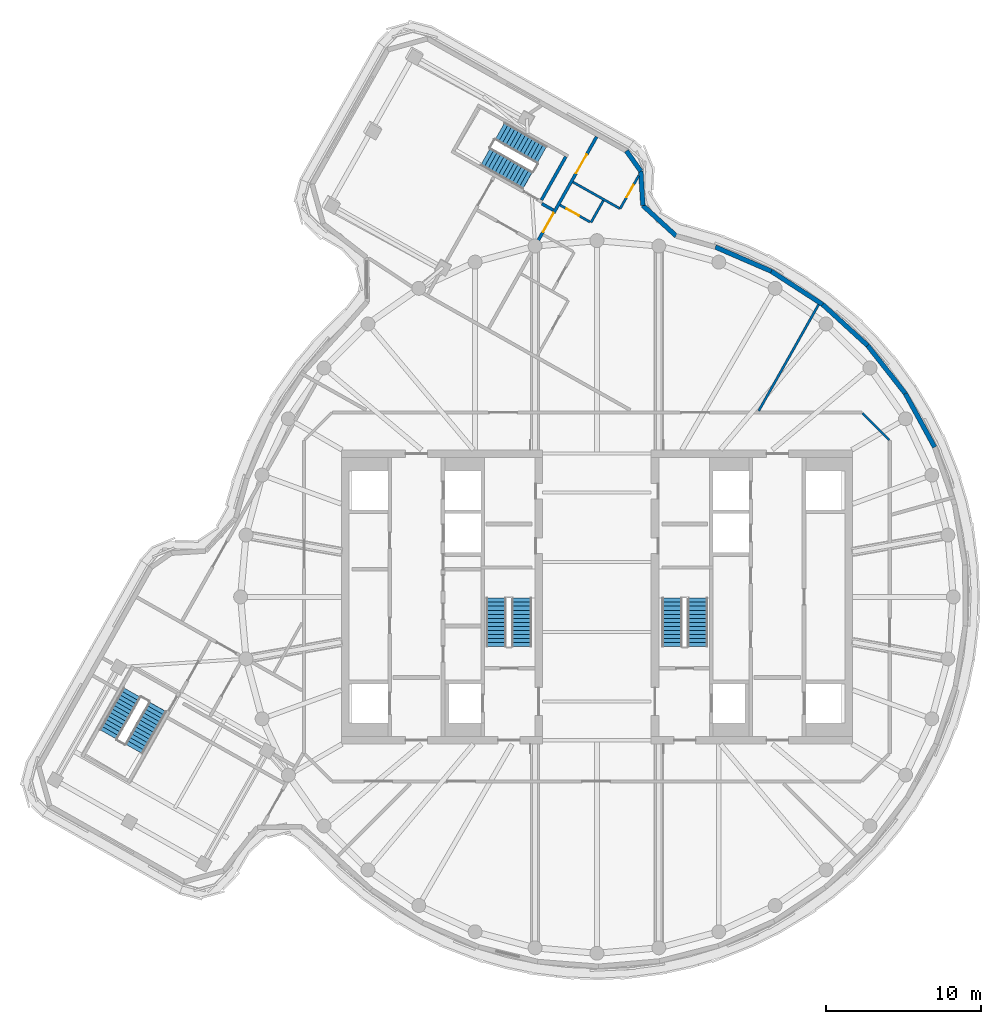
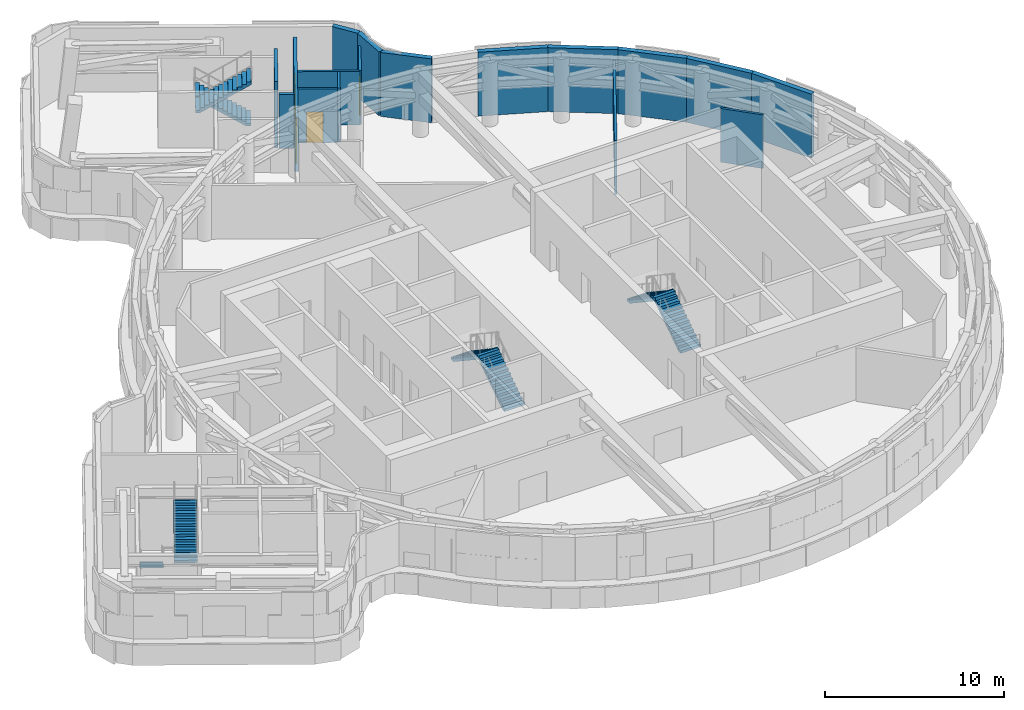
# One storey, part 9 of 15: 17 walls, 8 stair flights, 4 doors, 4 openings, 4 elements without a shape of their own.
"""IFC4 building model written with IfcOpenShell, lengths in metres."""

from ifc_helpers import new_model, si_unit, direction, frame, frame_2d, origin, place, context, subcontext, project, spatial, polyline, rectangle, outline, extrude, material, layer, layer_set, type_object, element, fill, aggregate, save


model = new_model("IFC4")

# Units and contexts
model_context = context("Model", 3, precision=1e-05, world=origin(), true_north=direction((0.0, 1.0)))
body_context = subcontext(model_context, "Body", "Model", "MODEL_VIEW")
ifc_project = project(units=[si_unit("LENGTHUNIT", "METRE"), si_unit("AREAUNIT", "SQUARE_METRE"), si_unit("VOLUMEUNIT", "CUBIC_METRE"), si_unit("PLANEANGLEUNIT", "RADIAN"), si_unit("MASSUNIT", "GRAM", prefix="KILO")], contexts=[model_context])

# Site, building, storey
site_placement = place(None, origin())
site = spatial("IfcSite", under=ifc_project, at=site_placement, CompositionType="ELEMENT")
building_placement = place(site_placement, origin())
building = spatial("IfcBuilding", under=site, at=building_placement, Name="Tamarind Cross Interchange Tower", CompositionType="ELEMENT")
storey_placement = place(building_placement, frame((0.0, 0.0, 252.300048828125)))
storey = spatial("IfcBuildingStorey", under=building, at=storey_placement, Name="L64", CompositionType="ELEMENT", Elevation=252.300048828125)

# Wall
ifc_material_1 = material(Name="Gypsum board partition on steel studs", Category="steel")
ifc_layer_1 = layer(ifc_material_1, 0.14990234375)
ifc_layer_set_1 = layer_set([ifc_layer_1], Name="Gypsum board partition on steel studs")
wall_type_1 = type_object("IfcWallType", Name="Partition 150 mm EI 120", PredefinedType="PARTITIONING", material=ifc_layer_set_1)
wall_1_placement = place(storey_placement, frame((17.135498046875, 11.864501953125, 0.0), z_axis=(0.0, 0.0, 1.0), x_axis=(0.707106781187, -0.707106781187, 0.0)))
element("IfcWall", 1, at=wall_1_placement, inside=storey, type_object=wall_type_1, Name="Partition L64-003", PredefinedType="PARTITIONING", context=body_context, shape_type="SweptSolid", body=[
    extrude(rectangle(XDim=2.445068359375, YDim=0.14990234375, at=frame_2d((1.22265625, 0.0))), origin(), (0.0, 0.0, 1.0), 3.659912109375),
])

# Wall, opening, door
wall_2_placement = place(storey_placement, frame((-2.388916015625, 25.2978515625, 0.0), z_axis=(0.0, 0.0, 1.0), x_axis=(0.871090637824, -0.491122286906, 0.0)))
wall_2 = element("IfcWall", 2, at=wall_2_placement, inside=storey, type_object=wall_type_1, Name="Partition L64-018", PredefinedType="PARTITIONING", context=body_context, shape_type="SweptSolid", body=[
    extrude(rectangle(XDim=2.220458984375, YDim=0.14990234375, at=frame_2d((1.1103515625, 0.0))), origin(), (0.0, 0.0, 1.0), 3.659912109375),
])
opening_1_placement = place(wall_2_placement, frame((0.5, 0.0, 0.0)))
opening_1 = element("IfcOpeningElement", 3, at=opening_1_placement, cuts=wall_2, Name="Opening D03", PredefinedType="OPENING", context=body_context, shape_type="SweptSolid", body=[
    extrude(rectangle(XDim=0.89990234375, YDim=2.10009765625, at=frame_2d((0.449951171875, 1.050048828125))), frame((0.0, 0.0849609375, 0.0), z_axis=(0.0, -1.0, 0.0), x_axis=(1.0, 0.0, 0.0)), (0.0, 0.0, 1.0), 0.169921875),
])
ifc_material_2 = material(Name="Fire-resisting door set")
door_type_1 = type_object("IfcDoorType", Name="Interior door 900 x 2100 FD60S", OperationType="SINGLE_SWING_LEFT", PredefinedType="DOOR", material=ifc_material_2)
door_1_placement = place(opening_1_placement, origin())
door_1 = element("IfcDoor", 4, at=door_1_placement, inside=storey, type_object=door_type_1, Name="Door D03", OperationType="SINGLE_SWING_RIGHT", OverallHeight=2.10009765625, OverallWidth=0.89990234375, PredefinedType="DOOR", context=body_context, shape_type="SweptSolid", body=[
    extrude(rectangle(XDim=0.89990234375, YDim=2.10009765625, at=frame_2d((0.449951171875, 1.050048828125))), frame((0.0, 0.02490234375, 0.0), z_axis=(0.0, -1.0, 0.0), x_axis=(1.0, 0.0, 0.0)), (0.0, 0.0, 1.0), 0.050048828125),
])
fill(opening_1, door_1)

# Wall
wall_3_placement = place(storey_placement, frame((-1.553955078125, 26.77880859375, 0.0), z_axis=(0.0, 0.0, 1.0), x_axis=(0.870988474872, -0.491303446599, 0.0)))
element("IfcWall", 5, at=wall_3_placement, inside=storey, type_object=wall_type_1, Name="Partition L64-019", PredefinedType="PARTITIONING", context=body_context, shape_type="SweptSolid", body=[
    extrude(rectangle(XDim=3.47998046875, YDim=0.14990234375, at=frame_2d((1.739990234375, 0.0))), origin(), (0.0, 0.0, 1.0), 3.659912109375),
])

# Wall, opening, door
wall_4_placement = place(storey_placement, frame((1.495361328125, 25.059814453125, 0.0), z_axis=(0.0, 0.0, 1.0), x_axis=(0.490981386235, 0.87117006283, 0.0)))
wall_4 = element("IfcWall", 6, at=wall_4_placement, inside=storey, type_object=wall_type_1, Name="Partition L64-040", PredefinedType="PARTITIONING", context=body_context, shape_type="SweptSolid", body=[
    extrude(rectangle(XDim=2.446044921875, YDim=0.14990234375, at=frame_2d((1.22314453125, 0.0))), origin(), (0.0, 0.0, 1.0), 3.659912109375),
])
opening_2_placement = place(wall_4_placement, frame((0.85009765625, 0.0, 0.0)))
opening_2 = element("IfcOpeningElement", 7, at=opening_2_placement, cuts=wall_4, Name="Opening D17", PredefinedType="OPENING", context=body_context, shape_type="SweptSolid", body=[
    extrude(rectangle(XDim=0.89990234375, YDim=2.10009765625, at=frame_2d((0.449951171875, 1.050048828125))), frame((0.0, 0.0849609375, 0.0), z_axis=(0.0, -1.0, 0.0), x_axis=(1.0, 0.0, 0.0)), (0.0, 0.0, 1.0), 0.169921875),
])
door_2_placement = place(opening_2_placement, origin())
door_2 = element("IfcDoor", 8, at=door_2_placement, inside=storey, type_object=door_type_1, Name="Door D17", OperationType="SINGLE_SWING_LEFT", OverallHeight=2.10009765625, OverallWidth=0.89990234375, PredefinedType="DOOR", context=body_context, shape_type="SweptSolid", body=[
    extrude(rectangle(XDim=0.89990234375, YDim=2.10009765625, at=frame_2d((0.449951171875, 1.050048828125))), frame((0.0, 0.02490234375, 0.0), z_axis=(0.0, -1.0, 0.0), x_axis=(1.0, 0.0, 0.0)), (0.0, 0.0, 1.0), 0.050048828125),
])
fill(opening_2, door_2)

# Walls
wall_5_placement = place(storey_placement, frame((-0.38525390625, 24.168212890625, 0.0), z_axis=(0.0, 0.0, 1.0), x_axis=(0.490967443079, 0.871177920884, 0.0)))
element("IfcWall", 9, at=wall_5_placement, inside=storey, type_object=wall_type_1, Name="Partition L64-042", PredefinedType="PARTITIONING", context=body_context, shape_type="SweptSolid", body=[
    extrude(rectangle(XDim=1.62451171875, YDim=0.14990234375, at=frame_2d((0.812255859375, 0.0))), origin(), (0.0, 0.0, 1.0), 3.659912109375),
])
wall_6_placement = place(storey_placement, frame((10.4443359375, 12.017578125, 0.0), z_axis=(0.0, 0.0, 1.0), x_axis=(0.490955299431, 0.871184764537, 0.0)))
element("IfcWall", 10, at=wall_6_placement, inside=storey, type_object=wall_type_1, Name="Partition L64-043", PredefinedType="PARTITIONING", context=body_context, shape_type="SweptSolid", body=[
    extrude(rectangle(XDim=8.164794921875, YDim=0.14990234375, at=frame_2d((4.08251953125, 0.0))), origin(), (0.0, 0.0, 1.0), 3.659912109375),
])
ifc_layer_2 = layer(ifc_material_1, 0.199951171875)
ifc_layer_set_2 = layer_set([ifc_layer_2], Name="Gypsum board partition on steel studs")
wall_type_2 = type_object("IfcWallType", Name="Partition 200 mm EI 180", PredefinedType="PARTITIONING", material=ifc_layer_set_2)
wall_7_placement = place(storey_placement, frame((-3.5576171875, 25.38232421875, 0.0), z_axis=(0.0, 0.0, 1.0), x_axis=(0.87131936668, -0.490716375566, 0.0)))
element("IfcWall", 11, at=wall_7_placement, inside=storey, type_object=wall_type_2, Name="Partition L64-016", PredefinedType="PARTITIONING", context=body_context, shape_type="SweptSolid", body=[
    extrude(rectangle(XDim=0.84033203125, YDim=0.199951171875, at=frame_2d((0.420166015625, 0.0))), origin(), (0.0, 0.0, 1.0), 3.659912109375),
])

# Wall, openings, doors
wall_8_placement = place(storey_placement, frame((-3.884521484375, 22.846923828125, 0.0), z_axis=(0.0, 0.0, 1.0), x_axis=(0.490960829695, 0.871181647939, 0.0)))
wall_8 = element("IfcWall", 12, at=wall_8_placement, inside=storey, type_object=wall_type_2, Name="Partition L64-038", PredefinedType="PARTITIONING", context=body_context, shape_type="SweptSolid", body=[
    extrude(rectangle(XDim=7.868408203125, YDim=0.199951171875, at=frame_2d((3.93408203125, 0.0))), origin(), (0.0, 0.0, 1.0), 3.659912109375),
])
opening_3_placement = place(wall_8_placement, frame((0.8193359375, 0.0, 0.0)))
opening_3 = element("IfcOpeningElement", 13, at=opening_3_placement, cuts=wall_8, Name="Opening D14", PredefinedType="OPENING", context=body_context, shape_type="SweptSolid", body=[
    extrude(rectangle(XDim=1.39990234375, YDim=2.10009765625, at=frame_2d((0.699951171875, 1.050048828125))), frame((0.0, 0.10986328125, 0.0), z_axis=(0.0, -1.0, 0.0), x_axis=(1.0, 0.0, 0.0)), (0.0, 0.0, 1.0), 0.219970703125),
])
opening_4_placement = place(wall_8_placement, frame((5.169677734375, 0.0, 0.0)))
opening_4 = element("IfcOpeningElement", 14, at=opening_4_placement, cuts=wall_8, Name="Opening D15", PredefinedType="OPENING", context=body_context, shape_type="SweptSolid", body=[
    extrude(rectangle(XDim=1.39990234375, YDim=2.10009765625, at=frame_2d((0.699951171875, 1.050048828125))), frame((0.0, 0.10986328125, 0.0), z_axis=(0.0, -1.0, 0.0), x_axis=(1.0, 0.0, 0.0)), (0.0, 0.0, 1.0), 0.219970703125),
])
door_type_2 = type_object("IfcDoorType", Name="Interior door 1400 x 2100 FD120S", OperationType="DOUBLE_DOOR_SINGLE_SWING", PredefinedType="DOOR", material=ifc_material_2)
door_3_placement = place(opening_3_placement, frame((1.39990234375, 0.0, 0.0), z_axis=(0.0, 0.0, 1.0), x_axis=(-1.0, 0.0, 0.0)))
door_3 = element("IfcDoor", 15, at=door_3_placement, inside=storey, type_object=door_type_2, Name="Door D14", OperationType="DOUBLE_DOOR_SINGLE_SWING", OverallHeight=2.10009765625, OverallWidth=1.39990234375, PredefinedType="DOOR", context=body_context, shape_type="SweptSolid", body=[
    extrude(rectangle(XDim=1.39990234375, YDim=2.10009765625, at=frame_2d((0.699951171875, 1.050048828125))), frame((0.0, 0.02490234375, 0.0), z_axis=(0.0, -1.0, 0.0), x_axis=(1.0, 0.0, 0.0)), (0.0, 0.0, 1.0), 0.050048828125),
])
fill(opening_3, door_3)
door_4_placement = place(opening_4_placement, origin())
door_4 = element("IfcDoor", 16, at=door_4_placement, inside=storey, type_object=door_type_2, Name="Door D15", OperationType="DOUBLE_DOOR_SINGLE_SWING", OverallHeight=2.10009765625, OverallWidth=1.39990234375, PredefinedType="DOOR", context=body_context, shape_type="SweptSolid", body=[
    extrude(rectangle(XDim=1.39990234375, YDim=2.10009765625, at=frame_2d((0.699951171875, 1.050048828125))), frame((0.0, 0.02490234375, 0.0), z_axis=(0.0, -1.0, 0.0), x_axis=(1.0, 0.0, 0.0)), (0.0, 0.0, 1.0), 0.050048828125),
])
fill(opening_4, door_4)

# Walls
ifc_material_3 = material(Name="Precast concrete C40", Category="concrete")
ifc_layer_3 = layer(ifc_material_3, 0.300048828125)
ifc_layer_set_3 = layer_set([ifc_layer_3], Name="Precast concrete C40")
wall_type_3 = type_object("IfcWallType", Name="Plant louvre wall", PredefinedType="SOLIDWALL", material=ifc_layer_set_3)
wall_9_placement = place(storey_placement, frame((21.7958984375, 9.672607421875, 0.0), z_axis=(0.0, 0.0, 1.0), x_axis=(-0.479742253376, 0.877409465601, 0.0)))
element("IfcWall", 17, at=wall_9_placement, inside=storey, type_object=wall_type_3, Name="EXW-L64-01-21", PredefinedType="SOLIDWALL", context=body_context, shape_type="SweptSolid", body=[
    extrude(rectangle(XDim=3.9384765625, YDim=0.300048828125, at=frame_2d((1.96923828125, 0.0))), origin(), (0.0, 0.0, 1.0), 4.35986328125),
])
wall_10_placement = place(storey_placement, frame((19.906494140625, 13.128173828125, 0.0), z_axis=(0.0, 0.0, 1.0), x_axis=(-0.617577851206, 0.786509756901, 0.0)))
element("IfcWall", 18, at=wall_10_placement, inside=storey, type_object=wall_type_3, Name="EXW-L64-01-22", PredefinedType="SOLIDWALL", context=body_context, shape_type="SweptSolid", body=[
    extrude(rectangle(XDim=3.938232421875, YDim=0.300048828125, at=frame_2d((1.96923828125, 0.0))), origin(), (0.0, 0.0, 1.0), 4.35986328125),
])
wall_11_placement = place(storey_placement, frame((17.474365234375, 16.2255859375, 0.0), z_axis=(0.0, 0.0, 1.0), x_axis=(-0.738634435884, 0.674106200926, 0.0)))
element("IfcWall", 19, at=wall_11_placement, inside=storey, type_object=wall_type_3, Name="EXW-L64-01-23", PredefinedType="SOLIDWALL", context=body_context, shape_type="SweptSolid", body=[
    extrude(rectangle(XDim=3.9384765625, YDim=0.300048828125, at=frame_2d((1.96923828125, 0.0))), origin(), (0.0, 0.0, 1.0), 4.35986328125),
])
wall_12_placement = place(storey_placement, frame((14.565185546875, 18.880615234375, 0.0), z_axis=(0.0, 0.0, 1.0), x_axis=(-0.839498632024, 0.54336180104, 0.0)))
element("IfcWall", 20, at=wall_12_placement, inside=storey, type_object=wall_type_3, Name="EXW-L64-01-24", PredefinedType="SOLIDWALL", context=body_context, shape_type="SweptSolid", body=[
    extrude(rectangle(XDim=3.938232421875, YDim=0.300048828125, at=frame_2d((1.96923828125, 0.0))), origin(), (0.0, 0.0, 1.0), 4.35986328125),
])
wall_13_placement = place(storey_placement, frame((11.259033203125, 21.0205078125, 0.0), z_axis=(0.0, 0.0, 1.0), x_axis=(-0.917505110173, 0.397723990735, 0.0)))
element("IfcWall", 21, at=wall_13_placement, inside=storey, type_object=wall_type_3, Name="EXW-L64-01-25", PredefinedType="SOLIDWALL", context=body_context, shape_type="SweptSolid", body=[
    extrude(rectangle(XDim=3.9384765625, YDim=0.300048828125, at=frame_2d((1.96923828125, 0.0))), origin(), (0.0, 0.0, 1.0), 4.35986328125),
])
wall_14_placement = place(storey_placement, frame((5.106689453125, 23.305908203125, 0.0), z_axis=(0.0, 0.0, 1.0), x_axis=(-0.737248359807, 0.675621829104, 0.0)))
element("IfcWall", 22, at=wall_14_placement, inside=storey, type_object=wall_type_3, Name="EXW-L64-01-27", PredefinedType="SOLIDWALL", context=body_context, shape_type="SweptSolid", body=[
    extrude(rectangle(XDim=2.90380859375, YDim=0.300048828125, at=frame_2d((1.451904296875, 0.0))), origin(), (0.0, 0.0, 1.0), 4.35986328125),
])
wall_15_placement = place(storey_placement, frame((2.9658203125, 25.267822265625, 0.0), z_axis=(0.0, 0.0, 1.0), x_axis=(-0.061658520666, 0.998097303287, 0.0)))
element("IfcWall", 23, at=wall_15_placement, inside=storey, type_object=wall_type_3, Name="EXW-L64-01-28", PredefinedType="SOLIDWALL", context=body_context, shape_type="SweptSolid", body=[
    extrude(rectangle(XDim=2.21728515625, YDim=0.300048828125, at=frame_2d((1.108642578125, 0.0))), origin(), (0.0, 0.0, 1.0), 4.35986328125),
])
wall_16_placement = place(storey_placement, frame((2.8291015625, 27.48095703125, 0.0), z_axis=(0.0, 0.0, 1.0), x_axis=(-0.577459771893, 0.816419139808, 0.0)))
element("IfcWall", 24, at=wall_16_placement, inside=storey, type_object=wall_type_3, Name="EXW-L64-01-29", PredefinedType="SOLIDWALL", context=body_context, shape_type="SweptSolid", body=[
    extrude(rectangle(XDim=1.60400390625, YDim=0.300048828125, at=frame_2d((0.802001953125, 0.0))), origin(), (0.0, 0.0, 1.0), 4.35986328125),
])
ifc_material_4 = material(Name="Concrete C40", Category="concrete")
ifc_layer_4 = layer(ifc_material_4, 0.199951171875)
ifc_layer_set_4 = layer_set([ifc_layer_4], Name="Concrete C40")
wall_type_4 = type_object("IfcWallType", Name="Stair shaft wall 200 mm Concrete C40", PredefinedType="SHEAR", material=ifc_layer_set_4)
wall_17_placement = place(storey_placement, frame((-2.010498046875, 28.4130859375, -0.179931640625), z_axis=(0.0, 0.0, 1.0), x_axis=(-0.490945688221, -0.871190180854, 0.0)))
element("IfcWall", 25, at=wall_17_placement, inside=storey, type_object=wall_type_4, Name="Core wall CWL-L64-ST4-CE", PredefinedType="SHEAR", context=body_context, shape_type="SweptSolid", body=[
    extrude(rectangle(XDim=3.199951171875, YDim=0.199951171875, at=frame_2d((1.60009765625, 0.0))), origin(), (0.0, 0.0, 1.0), 4.539794921875),
])

# Stair, stair flights
ifc_material_5 = material(Name="Exit stair")
stair_type = type_object("IfcStairType", Name="Exit stair", PredefinedType="HALF_TURN_STAIR", material=ifc_material_5)
stair_1_placement = place(storey_placement, origin())
stair_1 = element("IfcStair", 26, at=stair_1_placement, inside=storey, type_object=stair_type, Name="L64 exit stair ST1", PredefinedType="HALF_TURN_STAIR")
ifc_material_6 = material(Name="Exit stair flight")
stair_flight_type = type_object("IfcStairFlightType", Name="Exit stair flight", PredefinedType="STRAIGHT", material=ifc_material_6)
stair_flight_1_placement = place(storey_placement, frame((-4.85009765625, -3.199951171875, 0.0), z_axis=(0.0, 0.0, 1.0), x_axis=(0.0, 1.0, 0.0)))
stair_flight_1 = element("IfcStairFlight", 27, at=stair_flight_1_placement, type_object=stair_flight_type, Name="ST1 flight 1", NumberOfRisers=13, NumberOfTreads=12, PredefinedType="STRAIGHT", RiserHeight=0.173076923, TreadLength=0.26, context=body_context, shape_type="SweptSolid", body=[
    extrude(outline(polyline([(0.0, 0.0), (0.0, 0.173095703125), (0.260009765625, 0.173095703125), (0.260009765625, 0.34619140625), (0.52001953125, 0.34619140625), (0.52001953125, 0.519287109375), (0.780029296875, 0.519287109375), (0.780029296875, 0.6923828125), (1.0400390625, 0.6923828125), (1.0400390625, 0.865478515625), (1.300048828125, 0.865478515625), (1.300048828125, 1.03857421875), (1.56005859375, 1.03857421875), (1.56005859375, 1.21142578125), (1.820068359375, 1.21142578125), (1.820068359375, 1.384521484375), (2.080078125, 1.384521484375), (2.080078125, 1.5576171875), (2.340087890625, 1.5576171875), (2.340087890625, 1.730712890625), (2.60009765625, 1.730712890625), (2.60009765625, 1.90380859375), (2.860107421875, 1.90380859375), (2.860107421875, 2.076904296875), (3.1201171875, 2.076904296875), (3.1201171875, 2.25), (3.1201171875, 1.896728515625), (0.2705078125, 0.0), (0.0, 0.0)])), frame((0.0, 0.64990234375, 0.0), z_axis=(0.0, -1.0, 0.0), x_axis=(1.0, 0.0, 0.0)), (0.0, 0.0, 1.0), 1.300048828125),
])
stair_flight_2_placement = place(storey_placement, frame((-6.5, -0.080078125, 2.25), z_axis=(0.0, 0.0, 1.0), x_axis=(0.0, -1.0, 0.0)))
stair_flight_2 = element("IfcStairFlight", 28, at=stair_flight_2_placement, type_object=stair_flight_type, Name="ST1 flight 2", NumberOfRisers=13, NumberOfTreads=12, PredefinedType="STRAIGHT", RiserHeight=0.173076923, TreadLength=0.26, context=body_context, shape_type="SweptSolid", body=[
    extrude(outline(polyline([(0.0, 0.0), (0.0, 0.173095703125), (0.260009765625, 0.173095703125), (0.260009765625, 0.34619140625), (0.52001953125, 0.34619140625), (0.52001953125, 0.519287109375), (0.780029296875, 0.519287109375), (0.780029296875, 0.6923828125), (1.0400390625, 0.6923828125), (1.0400390625, 0.865478515625), (1.300048828125, 0.865478515625), (1.300048828125, 1.03857421875), (1.56005859375, 1.03857421875), (1.56005859375, 1.21142578125), (1.820068359375, 1.21142578125), (1.820068359375, 1.384521484375), (2.080078125, 1.384521484375), (2.080078125, 1.5576171875), (2.340087890625, 1.5576171875), (2.340087890625, 1.730712890625), (2.60009765625, 1.730712890625), (2.60009765625, 1.90380859375), (2.860107421875, 1.90380859375), (2.860107421875, 2.076904296875), (3.1201171875, 2.076904296875), (3.1201171875, 2.1298828125), (3.132080078125, 2.1298828125), (3.132080078125, 1.90478515625), (0.2705078125, 0.0), (0.0, 0.0)])), frame((0.0, 0.64990234375, 0.0), z_axis=(0.0, -1.0, 0.0), x_axis=(1.0, 0.0, 0.0)), (0.0, 0.0, 1.0), 1.300048828125),
])
aggregate(stair_1, [stair_flight_1, stair_flight_2])

stair_2_placement = place(storey_placement, origin())
stair_2 = element("IfcStair", 29, at=stair_2_placement, inside=storey, type_object=stair_type, Name="L64 exit stair ST2", PredefinedType="HALF_TURN_STAIR")
stair_flight_3_placement = place(storey_placement, frame((6.5, -3.199951171875, 0.0), z_axis=(0.0, 0.0, 1.0), x_axis=(0.0, 1.0, 0.0)))
stair_flight_3 = element("IfcStairFlight", 30, at=stair_flight_3_placement, type_object=stair_flight_type, Name="ST2 flight 1", NumberOfRisers=13, NumberOfTreads=12, PredefinedType="STRAIGHT", RiserHeight=0.173076923, TreadLength=0.26, context=body_context, shape_type="SweptSolid", body=[
    extrude(outline(polyline([(0.0, 0.0), (0.0, 0.173095703125), (0.260009765625, 0.173095703125), (0.260009765625, 0.34619140625), (0.52001953125, 0.34619140625), (0.52001953125, 0.519287109375), (0.780029296875, 0.519287109375), (0.780029296875, 0.6923828125), (1.0400390625, 0.6923828125), (1.0400390625, 0.865478515625), (1.300048828125, 0.865478515625), (1.300048828125, 1.03857421875), (1.56005859375, 1.03857421875), (1.56005859375, 1.21142578125), (1.820068359375, 1.21142578125), (1.820068359375, 1.384521484375), (2.080078125, 1.384521484375), (2.080078125, 1.5576171875), (2.340087890625, 1.5576171875), (2.340087890625, 1.730712890625), (2.60009765625, 1.730712890625), (2.60009765625, 1.90380859375), (2.860107421875, 1.90380859375), (2.860107421875, 2.076904296875), (3.1201171875, 2.076904296875), (3.1201171875, 2.25), (3.1201171875, 1.896728515625), (0.2705078125, 0.0), (0.0, 0.0)])), frame((0.0, 0.64990234375, 0.0), z_axis=(0.0, -1.0, 0.0), x_axis=(1.0, 0.0, 0.0)), (0.0, 0.0, 1.0), 1.300048828125),
])
stair_flight_4_placement = place(storey_placement, frame((4.85009765625, -0.080078125, 2.25), z_axis=(0.0, 0.0, 1.0), x_axis=(0.0, -1.0, 0.0)))
stair_flight_4 = element("IfcStairFlight", 31, at=stair_flight_4_placement, type_object=stair_flight_type, Name="ST2 flight 2", NumberOfRisers=13, NumberOfTreads=12, PredefinedType="STRAIGHT", RiserHeight=0.173076923, TreadLength=0.26, context=body_context, shape_type="SweptSolid", body=[
    extrude(outline(polyline([(0.0, 0.0), (0.0, 0.173095703125), (0.260009765625, 0.173095703125), (0.260009765625, 0.34619140625), (0.52001953125, 0.34619140625), (0.52001953125, 0.519287109375), (0.780029296875, 0.519287109375), (0.780029296875, 0.6923828125), (1.0400390625, 0.6923828125), (1.0400390625, 0.865478515625), (1.300048828125, 0.865478515625), (1.300048828125, 1.03857421875), (1.56005859375, 1.03857421875), (1.56005859375, 1.21142578125), (1.820068359375, 1.21142578125), (1.820068359375, 1.384521484375), (2.080078125, 1.384521484375), (2.080078125, 1.5576171875), (2.340087890625, 1.5576171875), (2.340087890625, 1.730712890625), (2.60009765625, 1.730712890625), (2.60009765625, 1.90380859375), (2.860107421875, 1.90380859375), (2.860107421875, 2.076904296875), (3.1201171875, 2.076904296875), (3.1201171875, 2.1298828125), (3.132080078125, 2.1298828125), (3.132080078125, 1.90478515625), (0.2705078125, 0.0), (0.0, 0.0)])), frame((0.0, 0.64990234375, 0.0), z_axis=(0.0, -1.0, 0.0), x_axis=(1.0, 0.0, 0.0)), (0.0, 0.0, 1.0), 1.300048828125),
])
aggregate(stair_2, [stair_flight_3, stair_flight_4])

stair_3_placement = place(storey_placement, origin())
stair_3 = element("IfcStair", 32, at=stair_3_placement, inside=storey, type_object=stair_type, Name="L64 exit stair ST4", PredefinedType="HALF_TURN_STAIR")
stair_flight_5_placement = place(storey_placement, frame((-3.54931640625, 28.5341796875, 0.0), z_axis=(0.0, 0.0, 1.0), x_axis=(-0.871200102162, 0.490928082303, 0.0)))
stair_flight_5 = element("IfcStairFlight", 33, at=stair_flight_5_placement, type_object=stair_flight_type, Name="ST4 flight 1", NumberOfRisers=13, NumberOfTreads=12, PredefinedType="STRAIGHT", RiserHeight=0.173076923, TreadLength=0.26, context=body_context, shape_type="SweptSolid", body=[
    extrude(outline(polyline([(0.0, 0.0), (0.0, 0.173095703125), (0.260009765625, 0.173095703125), (0.260009765625, 0.34619140625), (0.52001953125, 0.34619140625), (0.52001953125, 0.519287109375), (0.780029296875, 0.519287109375), (0.780029296875, 0.6923828125), (1.0400390625, 0.6923828125), (1.0400390625, 0.865478515625), (1.300048828125, 0.865478515625), (1.300048828125, 1.03857421875), (1.56005859375, 1.03857421875), (1.56005859375, 1.21142578125), (1.820068359375, 1.21142578125), (1.820068359375, 1.384521484375), (2.080078125, 1.384521484375), (2.080078125, 1.5576171875), (2.340087890625, 1.5576171875), (2.340087890625, 1.730712890625), (2.60009765625, 1.730712890625), (2.60009765625, 1.90380859375), (2.860107421875, 1.90380859375), (2.860107421875, 2.076904296875), (3.1201171875, 2.076904296875), (3.1201171875, 2.25), (3.1201171875, 1.896728515625), (0.2705078125, 0.0), (0.0, 0.0)])), frame((0.0, 0.64990234375, 0.0), z_axis=(0.0, -1.0, 0.0), x_axis=(1.0, 0.0, 0.0)), (0.0, 0.0, 1.0), 1.300048828125),
])
stair_flight_6_placement = place(storey_placement, frame((-7.2001953125, 28.410400390625, 2.25), z_axis=(0.0, 0.0, 1.0), x_axis=(0.871200102162, -0.490928082303, 0.0)))
stair_flight_6 = element("IfcStairFlight", 34, at=stair_flight_6_placement, type_object=stair_flight_type, Name="ST4 flight 2", NumberOfRisers=13, NumberOfTreads=12, PredefinedType="STRAIGHT", RiserHeight=0.173076923, TreadLength=0.26, context=body_context, shape_type="SweptSolid", body=[
    extrude(outline(polyline([(0.0, 0.0), (0.0, 0.173095703125), (0.260009765625, 0.173095703125), (0.260009765625, 0.34619140625), (0.52001953125, 0.34619140625), (0.52001953125, 0.519287109375), (0.780029296875, 0.519287109375), (0.780029296875, 0.6923828125), (1.0400390625, 0.6923828125), (1.0400390625, 0.865478515625), (1.300048828125, 0.865478515625), (1.300048828125, 1.03857421875), (1.56005859375, 1.03857421875), (1.56005859375, 1.21142578125), (1.820068359375, 1.21142578125), (1.820068359375, 1.384521484375), (2.080078125, 1.384521484375), (2.080078125, 1.5576171875), (2.340087890625, 1.5576171875), (2.340087890625, 1.730712890625), (2.60009765625, 1.730712890625), (2.60009765625, 1.90380859375), (2.860107421875, 1.90380859375), (2.860107421875, 2.076904296875), (3.1201171875, 2.076904296875), (3.1201171875, 2.1298828125), (3.132080078125, 2.1298828125), (3.132080078125, 1.90478515625), (0.2705078125, 0.0), (0.0, 0.0)])), frame((0.0, 0.64990234375, 0.0), z_axis=(0.0, -1.0, 0.0), x_axis=(1.0, 0.0, 0.0)), (0.0, 0.0, 1.0), 1.300048828125),
])
aggregate(stair_3, [stair_flight_5, stair_flight_6])

stair_4_placement = place(storey_placement, origin())
stair_4 = element("IfcStair", 35, at=stair_4_placement, inside=storey, type_object=stair_type, Name="L64 exit stair ST5", PredefinedType="HALF_TURN_STAIR")
stair_flight_7_placement = place(storey_placement, frame((-30.0068359375, -6.1630859375, 0.0), z_axis=(0.0, 0.0, 1.0), x_axis=(-0.490928082303, -0.871200102162, 0.0)))
stair_flight_7 = element("IfcStairFlight", 36, at=stair_flight_7_placement, type_object=stair_flight_type, Name="ST5 flight 1", NumberOfRisers=13, NumberOfTreads=12, PredefinedType="STRAIGHT", RiserHeight=0.173076923, TreadLength=0.26, context=body_context, shape_type="SweptSolid", body=[
    extrude(outline(polyline([(0.0, 0.0), (0.0, 0.173095703125), (0.260009765625, 0.173095703125), (0.260009765625, 0.34619140625), (0.52001953125, 0.34619140625), (0.52001953125, 0.519287109375), (0.780029296875, 0.519287109375), (0.780029296875, 0.6923828125), (1.0400390625, 0.6923828125), (1.0400390625, 0.865478515625), (1.300048828125, 0.865478515625), (1.300048828125, 1.03857421875), (1.56005859375, 1.03857421875), (1.56005859375, 1.21142578125), (1.820068359375, 1.21142578125), (1.820068359375, 1.384521484375), (2.080078125, 1.384521484375), (2.080078125, 1.5576171875), (2.340087890625, 1.5576171875), (2.340087890625, 1.730712890625), (2.60009765625, 1.730712890625), (2.60009765625, 1.90380859375), (2.860107421875, 1.90380859375), (2.860107421875, 2.076904296875), (3.1201171875, 2.076904296875), (3.1201171875, 2.25), (3.1201171875, 1.896728515625), (0.2705078125, 0.0), (0.0, 0.0)])), frame((0.0, 0.64990234375, 0.0), z_axis=(0.0, -1.0, 0.0), x_axis=(1.0, 0.0, 0.0)), (0.0, 0.0, 1.0), 1.300048828125),
])
stair_flight_8_placement = place(storey_placement, frame((-29.88330078125, -9.81396484375, 2.25), z_axis=(0.0, 0.0, 1.0), x_axis=(0.490928082303, 0.871200102162, 0.0)))
stair_flight_8 = element("IfcStairFlight", 37, at=stair_flight_8_placement, type_object=stair_flight_type, Name="ST5 flight 2", NumberOfRisers=13, NumberOfTreads=12, PredefinedType="STRAIGHT", RiserHeight=0.173076923, TreadLength=0.26, context=body_context, shape_type="SweptSolid", body=[
    extrude(outline(polyline([(0.0, 0.0), (0.0, 0.173095703125), (0.260009765625, 0.173095703125), (0.260009765625, 0.34619140625), (0.52001953125, 0.34619140625), (0.52001953125, 0.519287109375), (0.780029296875, 0.519287109375), (0.780029296875, 0.6923828125), (1.0400390625, 0.6923828125), (1.0400390625, 0.865478515625), (1.300048828125, 0.865478515625), (1.300048828125, 1.03857421875), (1.56005859375, 1.03857421875), (1.56005859375, 1.21142578125), (1.820068359375, 1.21142578125), (1.820068359375, 1.384521484375), (2.080078125, 1.384521484375), (2.080078125, 1.5576171875), (2.340087890625, 1.5576171875), (2.340087890625, 1.730712890625), (2.60009765625, 1.730712890625), (2.60009765625, 1.90380859375), (2.860107421875, 1.90380859375), (2.860107421875, 2.076904296875), (3.1201171875, 2.076904296875), (3.1201171875, 2.1298828125), (3.132080078125, 2.1298828125), (3.132080078125, 1.90478515625), (0.2705078125, 0.0), (0.0, 0.0)])), frame((0.0, 0.64990234375, 0.0), z_axis=(0.0, -1.0, 0.0), x_axis=(1.0, 0.0, 0.0)), (0.0, 0.0, 1.0), 1.300048828125),
])
aggregate(stair_4, [stair_flight_7, stair_flight_8])

save(model, "model.ifc")
